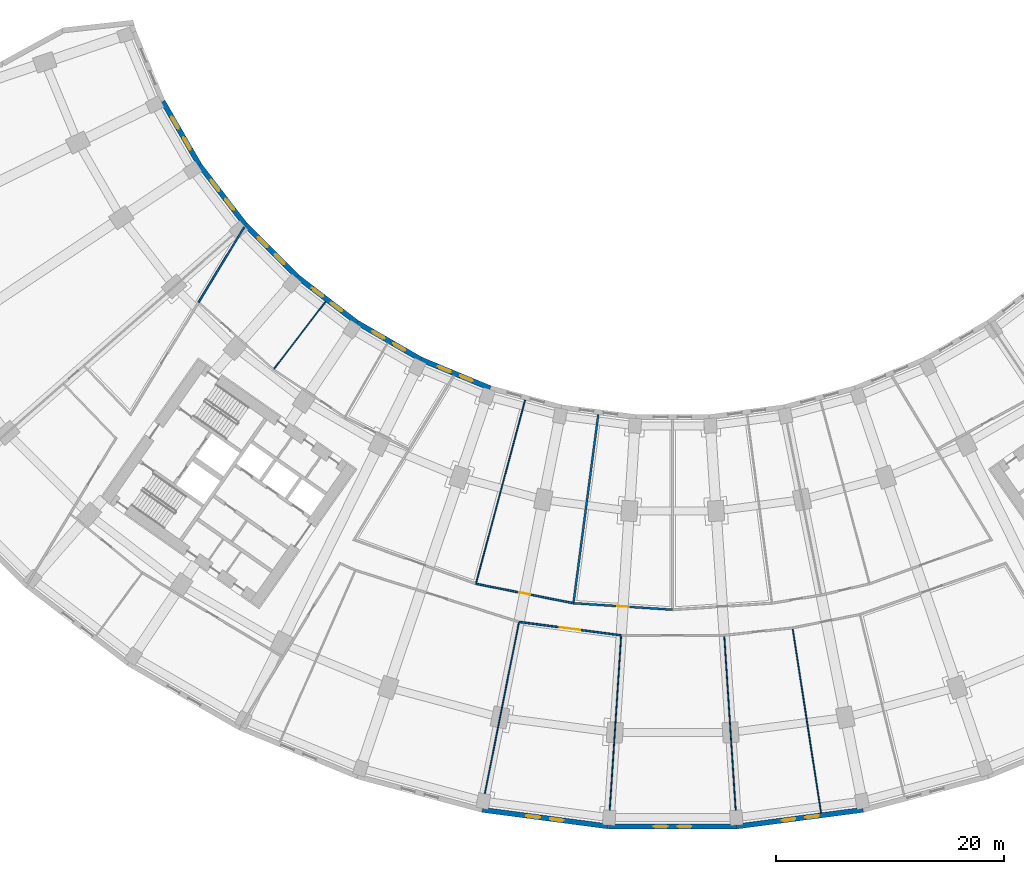
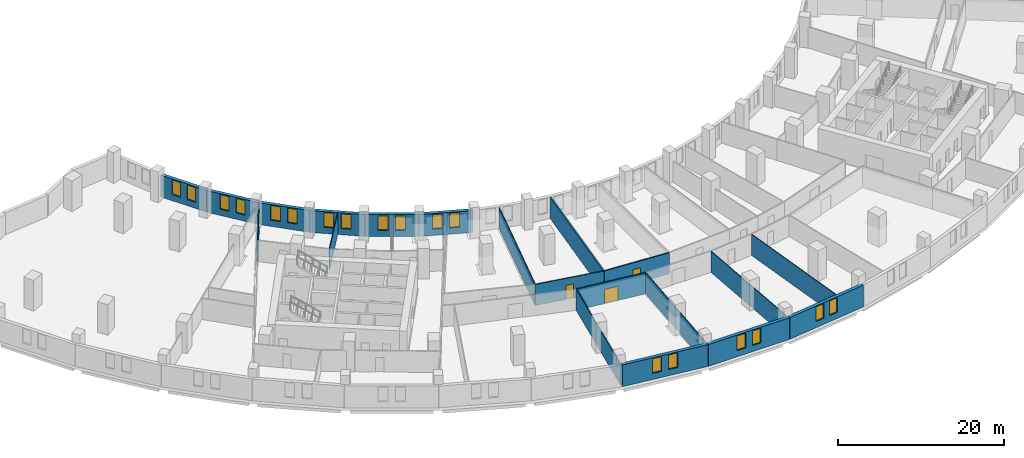
# One storey, part 8 of 20: 20 walls, 18 windows, 3 doors, 21 openings.
"""IFC4 building model written with IfcOpenShell, lengths in metres."""

from ifc_helpers import new_model, si_unit, direction, frame, frame_2d, origin, place, context, subcontext, project, spatial, rectangle, extrude, material, layer, layer_set, type_object, element, fill, save


model = new_model("IFC4")

# Units and contexts
model_context = context("Model", 3, precision=1e-05, world=origin(), true_north=direction((0.0, 1.0)))
body_context = subcontext(model_context, "Body", "Model", "MODEL_VIEW")
ifc_project = project(units=[si_unit("LENGTHUNIT", "METRE"), si_unit("AREAUNIT", "SQUARE_METRE"), si_unit("VOLUMEUNIT", "CUBIC_METRE"), si_unit("PLANEANGLEUNIT", "RADIAN"), si_unit("MASSUNIT", "GRAM", prefix="KILO")], contexts=[model_context])

# Site, building, storey
site_placement = place(None, origin())
site = spatial("IfcSite", under=ifc_project, at=site_placement, CompositionType="ELEMENT")
building_placement = place(site_placement, origin())
building = spatial("IfcBuilding", under=site, at=building_placement, Name="Qamariyya Broadcast Tower", CompositionType="ELEMENT")
storey_placement = place(building_placement, frame((0.0, 0.0, 27.0)))
storey = spatial("IfcBuildingStorey", under=building, at=storey_placement, Name="L03", CompositionType="ELEMENT", Elevation=27.0)

# Wall
ifc_material_1 = material(Name="Gypsum board partition")
ifc_layer_1 = layer(ifc_material_1, 0.14990234375)
ifc_layer_set_1 = layer_set([ifc_layer_1], Name="Corridor partition 150 EI 60")
wall_type_1 = type_object("IfcWallType", Name="Corridor partition 150 EI 60", PredefinedType="PARTITIONING", material=ifc_layer_set_1)
wall_1_placement = place(storey_placement, frame((-37.6376953125, -33.18701171875, 0.0), z_axis=(0.0, 0.0, 1.0), x_axis=(-0.519163683086, -0.854674833, 0.0)))
element("IfcWall", 1, at=wall_1_placement, inside=storey, type_object=wall_type_1, Name="Partition L03-013", PredefinedType="PARTITIONING", context=body_context, shape_type="SweptSolid", body=[
    extrude(rectangle(XDim=7.724853515625, YDim=0.14990234375, at=frame_2d((3.8623046875, 0.0))), origin(), (0.0, 0.0, 1.0), 3.10009765625),
])

# Wall, opening, door
wall_2_placement = place(storey_placement, frame((-17.2890625, -64.52392578125, 0.0), z_axis=(0.0, 0.0, 1.0), x_axis=(0.980786466832, -0.195084357342, 0.0)))
wall_2 = element("IfcWall", 2, at=wall_2_placement, inside=storey, type_object=wall_type_1, Name="Partition L03-026", PredefinedType="PARTITIONING", context=body_context, shape_type="SweptSolid", body=[
    extrude(rectangle(XDim=8.73779296875, YDim=0.14990234375, at=frame_2d((4.368896484375, 0.0))), origin(), (0.0, 0.0, 1.0), 3.10009765625),
])
opening_1_placement = place(wall_2_placement, frame((3.868896484375, 0.0, 0.0)))
opening_1 = element("IfcOpeningElement", 3, at=opening_1_placement, cuts=wall_2, Name="Opening L03-D09", PredefinedType="OPENING", context=body_context, shape_type="SweptSolid", body=[
    extrude(rectangle(XDim=1.0, YDim=2.10009765625, at=frame_2d((0.5, 1.050048828125))), frame((0.0, 0.0849609375, 0.0), z_axis=(0.0, -1.0, 0.0), x_axis=(1.0, 0.0, 0.0)), (0.0, 0.0, 1.0), 0.169921875),
])
ifc_material_2 = material(Name="Timber fire door leaf", Category="wood")
door_type_1 = type_object("IfcDoorType", Name="Fire door 1000 x 2100 FD60", OperationType="NOTDEFINED", PredefinedType="DOOR", material=ifc_material_2)
door_1_placement = place(opening_1_placement, origin())
door_1 = element("IfcDoor", 4, at=door_1_placement, inside=storey, type_object=door_type_1, Name="Door L03-D09", OperationType="SINGLE_SWING_RIGHT", OverallHeight=2.10009765625, OverallWidth=1.0, PredefinedType="DOOR", context=body_context, shape_type="SweptSolid", body=[
    extrude(rectangle(XDim=1.0, YDim=2.10009765625, at=frame_2d((0.5, 1.050048828125))), frame((0.0, 0.02490234375, 0.0), z_axis=(0.0, -1.0, 0.0), x_axis=(1.0, 0.0, 0.0)), (0.0, 0.0, 1.0), 0.050048828125),
])
fill(opening_1, door_1)

wall_3_placement = place(storey_placement, frame((-4.52587890625, -69.0517578125, 0.0), z_axis=(0.0, 0.0, 1.0), x_axis=(-0.991446306881, 0.13051521203, 0.0)))
wall_3 = element("IfcWall", 5, at=wall_3_placement, inside=storey, type_object=wall_type_1, Name="Partition L03-028", PredefinedType="PARTITIONING", context=body_context, shape_type="SweptSolid", body=[
    extrude(rectangle(XDim=9.0517578125, YDim=0.14990234375, at=frame_2d((4.52587890625, 0.0))), origin(), (0.0, 0.0, 1.0), 3.10009765625),
])
opening_2_placement = place(wall_3_placement, frame((3.6259765625, 0.0, 0.0)))
opening_2 = element("IfcOpeningElement", 6, at=opening_2_placement, cuts=wall_3, Name="Opening L03-D03", PredefinedType="OPENING", context=body_context, shape_type="SweptSolid", body=[
    extrude(rectangle(XDim=1.800048828125, YDim=2.10009765625, at=frame_2d((0.89990234375, 1.050048828125))), frame((0.0, 0.0849609375, 0.0), z_axis=(0.0, -1.0, 0.0), x_axis=(1.0, 0.0, 0.0)), (0.0, 0.0, 1.0), 0.169921875),
])
door_type_2 = type_object("IfcDoorType", Name="Double fire door 1800 x 2100 FD60", OperationType="NOTDEFINED", PredefinedType="DOOR", material=ifc_material_2)
door_2_placement = place(opening_2_placement, origin())
door_2 = element("IfcDoor", 7, at=door_2_placement, inside=storey, type_object=door_type_2, Name="Door L03-D03", OperationType="DOUBLE_DOOR_SINGLE_SWING", OverallHeight=2.10009765625, OverallWidth=1.800048828125, PredefinedType="DOOR", context=body_context, shape_type="SweptSolid", body=[
    extrude(rectangle(XDim=1.800048828125, YDim=2.10009765625, at=frame_2d((0.89990234375, 1.050048828125))), frame((0.0, 0.02490234375, 0.0), z_axis=(0.0, -1.0, 0.0), x_axis=(1.0, 0.0, 0.0)), (0.0, 0.0, 1.0), 0.050048828125),
])
fill(opening_2, door_2)

# Walls
ifc_layer_2 = layer(ifc_material_1, 0.10009765625)
ifc_layer_set_2 = layer_set([ifc_layer_2], Name="Partition 100")
wall_type_2 = type_object("IfcWallType", Name="Partition 100", PredefinedType="PARTITIONING", material=ifc_layer_set_2)
wall_4_placement = place(storey_placement, frame((-30.494873046875, -39.741943359375, 0.0), z_axis=(0.0, 0.0, 1.0), x_axis=(-0.60877839598, -0.793340320788, 0.0)))
element("IfcWall", 8, at=wall_4_placement, inside=storey, type_object=wall_type_2, Name="Partition L03-017", PredefinedType="PARTITIONING", context=body_context, shape_type="SweptSolid", body=[
    extrude(rectangle(XDim=7.431640625, YDim=0.10009765625, at=frame_2d((3.7158203125, 0.0))), origin(), (0.0, 0.0, 1.0), 3.10009765625),
])
wall_5_placement = place(storey_placement, frame((-16.73876953125, -84.1513671875, 0.0), z_axis=(0.0, 0.0, 1.0), x_axis=(0.195090372882, 0.980785270285, 0.0)))
element("IfcWall", 9, at=wall_5_placement, inside=storey, type_object=wall_type_2, Name="Partition L03-027", PredefinedType="PARTITIONING", context=body_context, shape_type="SweptSolid", body=[
    extrude(rectangle(XDim=16.525146484375, YDim=0.10009765625, at=frame_2d((8.2626953125, 0.0))), origin(), (0.0, 0.0, 1.0), 3.10009765625),
])
wall_6_placement = place(storey_placement, frame((-12.965087890625, -48.386474609375, 0.0), z_axis=(0.0, 0.0, 1.0), x_axis=(-0.258824622624, -0.965924331779, 0.0)))
element("IfcWall", 10, at=wall_6_placement, inside=storey, type_object=wall_type_2, Name="Partition L03-029", PredefinedType="PARTITIONING", context=body_context, shape_type="SweptSolid", body=[
    extrude(rectangle(XDim=16.631591796875, YDim=0.10009765625, at=frame_2d((8.31591796875, 0.0))), origin(), (0.0, 0.0, 1.0), 3.10009765625),
])
for number, where, z_axis, x_axis, name in (
    (11, (-5.611572265625, -85.6162109375, 0.0), (0.0, 0.0, 1.0), (0.065405026615, 0.997858798876, 0.0), "Partition L03-032"),
    (12, (5.611572265625, -85.6162109375, 0.0), (0.0, 0.0, 1.0), (-0.065405026615, 0.997858798876, 0.0), "Partition L03-037"),
):
    element("IfcWall", number, at=place(storey_placement, frame(where, z_axis=z_axis, x_axis=x_axis)), inside=storey, type_object=wall_type_2, Name=name, PredefinedType="PARTITIONING", context=body_context, shape_type="SweptSolid", body=[
        extrude(rectangle(XDim=16.52490234375, YDim=0.10009765625, at=frame_2d((8.262451171875, 0.0))), origin(), (0.0, 0.0, 1.0), 3.10009765625),
    ])
wall_7_placement = place(storey_placement, frame((13.029541015625, -84.638916015625, 0.0), z_axis=(0.0, 0.0, 1.0), x_axis=(-0.15214688942, 0.988357892689, 0.0)))
element("IfcWall", 13, at=wall_7_placement, inside=storey, type_object=wall_type_2, Name="Partition L03-044", PredefinedType="PARTITIONING", context=body_context, shape_type="SweptSolid", body=[
    extrude(rectangle(XDim=16.36083984375, YDim=0.10009765625, at=frame_2d((8.180419921875, 0.0))), origin(), (0.0, 0.0, 1.0), 3.10009765625),
])

# Wall, openings, windows
ifc_material_3 = material(Name="Precast concrete C40/50 with terracotta facing", Category="masonry")
ifc_layer_3 = layer(ifc_material_3, 0.449951171875)
ifc_layer_set_3 = layer_set([ifc_layer_3], Name="Precast concrete C40/50 wall 450, terracotta faced")
wall_type_3 = type_object("IfcWallType", Name="Precast concrete C40/50 wall 450, terracotta faced", PredefinedType="SOLIDWALL", material=ifc_layer_set_3)
wall_8_placement = place(storey_placement, frame((-41.58251953125, -27.7138671875, 0.0), z_axis=(0.0, 0.0, 1.0), x_axis=(-0.50000447882, 0.866022817921, 0.0)))
wall_8 = element("IfcWall", 14, at=wall_8_placement, inside=storey, type_object=wall_type_3, Name="e-wl-L03-in20", PredefinedType="SOLIDWALL", context=body_context, shape_type="SweptSolid", body=[
    extrude(rectangle(XDim=6.41943359375, YDim=0.449951171875, at=frame_2d((3.209716796875, 0.0))), origin(), (0.0, 0.0, 1.0), 3.199951171875),
])
opening_3_placement = place(wall_8_placement, frame((3.65966796875, 0.0, 0.89990234375)))
opening_3 = element("IfcOpeningElement", 15, at=opening_3_placement, cuts=wall_8, Name="Opening W3", PredefinedType="OPENING", context=body_context, shape_type="SweptSolid", body=[
    extrude(rectangle(XDim=1.199951171875, YDim=2.14990234375, at=frame_2d((0.60009765625, 1.074951171875))), frame((0.0, 0.23486328125, 0.0), z_axis=(0.0, -1.0, 0.0), x_axis=(1.0, 0.0, 0.0)), (0.0, 0.0, 1.0), 0.469970703125),
])
opening_4_placement = place(wall_8_placement, frame((1.5595703125, 0.0, 0.89990234375)))
opening_4 = element("IfcOpeningElement", 16, at=opening_4_placement, cuts=wall_8, Name="Opening W3", PredefinedType="OPENING", context=body_context, shape_type="SweptSolid", body=[
    extrude(rectangle(XDim=1.199951171875, YDim=2.14990234375, at=frame_2d((0.60009765625, 1.074951171875))), frame((0.0, 0.23486328125, 0.0), z_axis=(0.0, -1.0, 0.0), x_axis=(1.0, 0.0, 0.0)), (0.0, 0.0, 1.0), 0.469970703125),
])
ifc_material_4 = material(Name="Clear low-e double glazed unit in aluminium frame", Category="aluminium")
window_type = type_object("IfcWindowType", Name="Podium window 1200 x 2150", PartitioningType="SINGLE_PANEL", PredefinedType="WINDOW", material=ifc_material_4)
window_1_placement = place(opening_3_placement, origin())
window_1 = element("IfcWindow", 17, at=window_1_placement, inside=storey, type_object=window_type, Name="e-w-L03-in02a", OverallHeight=2.14990234375, OverallWidth=1.199951171875, PartitioningType="SINGLE_PANEL", PredefinedType="WINDOW", context=body_context, shape_type="SweptSolid", body=[
    extrude(rectangle(XDim=1.199951171875, YDim=2.14990234375, at=frame_2d((0.60009765625, 1.074951171875))), frame((0.0, 0.030029296875, 0.0), z_axis=(0.0, -1.0, 0.0), x_axis=(1.0, 0.0, 0.0)), (0.0, 0.0, 1.0), 0.06005859375),
])
fill(opening_3, window_1)
window_2_placement = place(opening_4_placement, origin())
window_2 = element("IfcWindow", 18, at=window_2_placement, inside=storey, type_object=window_type, Name="e-w-L03-in02b", OverallHeight=2.14990234375, OverallWidth=1.199951171875, PartitioningType="SINGLE_PANEL", PredefinedType="WINDOW", context=body_context, shape_type="SweptSolid", body=[
    extrude(rectangle(XDim=1.199951171875, YDim=2.14990234375, at=frame_2d((0.60009765625, 1.074951171875))), frame((0.0, 0.030029296875, 0.0), z_axis=(0.0, -1.0, 0.0), x_axis=(1.0, 0.0, 0.0)), (0.0, 0.0, 1.0), 0.06005859375),
])
fill(opening_4, window_2)

wall_9_placement = place(storey_placement, frame((-37.55517578125, -32.974853515625, 0.0), z_axis=(0.0, 0.0, 1.0), x_axis=(-0.608780327927, 0.793338838284, 0.0)))
wall_9 = element("IfcWall", 19, at=wall_9_placement, inside=storey, type_object=wall_type_3, Name="e-wl-L03-in30", PredefinedType="SOLIDWALL", context=body_context, shape_type="SweptSolid", body=[
    extrude(rectangle(XDim=6.596923828125, YDim=0.449951171875, at=frame_2d((3.29833984375, 0.0))), origin(), (0.0, 0.0, 1.0), 3.199951171875),
])
opening_5_placement = place(wall_9_placement, frame((3.74853515625, 0.0, 0.89990234375)))
opening_5 = element("IfcOpeningElement", 20, at=opening_5_placement, cuts=wall_9, Name="Opening W3", PredefinedType="OPENING", context=body_context, shape_type="SweptSolid", body=[
    extrude(rectangle(XDim=1.199951171875, YDim=2.14990234375, at=frame_2d((0.60009765625, 1.074951171875))), frame((0.0, 0.23486328125, 0.0), z_axis=(0.0, -1.0, 0.0), x_axis=(1.0, 0.0, 0.0)), (0.0, 0.0, 1.0), 0.469970703125),
])
opening_6_placement = place(wall_9_placement, frame((1.6484375, 0.0, 0.89990234375)))
opening_6 = element("IfcOpeningElement", 21, at=opening_6_placement, cuts=wall_9, Name="Opening W3", PredefinedType="OPENING", context=body_context, shape_type="SweptSolid", body=[
    extrude(rectangle(XDim=1.199951171875, YDim=2.14990234375, at=frame_2d((0.60009765625, 1.074951171875))), frame((0.0, 0.23486328125, 0.0), z_axis=(0.0, -1.0, 0.0), x_axis=(1.0, 0.0, 0.0)), (0.0, 0.0, 1.0), 0.469970703125),
])
window_3_placement = place(opening_5_placement, origin())
window_3 = element("IfcWindow", 22, at=window_3_placement, inside=storey, type_object=window_type, Name="e-w-L03-in03a", OverallHeight=2.14990234375, OverallWidth=1.199951171875, PartitioningType="SINGLE_PANEL", PredefinedType="WINDOW", context=body_context, shape_type="SweptSolid", body=[
    extrude(rectangle(XDim=1.199951171875, YDim=2.14990234375, at=frame_2d((0.60009765625, 1.074951171875))), frame((0.0, 0.030029296875, 0.0), z_axis=(0.0, -1.0, 0.0), x_axis=(1.0, 0.0, 0.0)), (0.0, 0.0, 1.0), 0.06005859375),
])
fill(opening_5, window_3)
window_4_placement = place(opening_6_placement, origin())
window_4 = element("IfcWindow", 23, at=window_4_placement, inside=storey, type_object=window_type, Name="e-w-L03-in03b", OverallHeight=2.14990234375, OverallWidth=1.199951171875, PartitioningType="SINGLE_PANEL", PredefinedType="WINDOW", context=body_context, shape_type="SweptSolid", body=[
    extrude(rectangle(XDim=1.199951171875, YDim=2.14990234375, at=frame_2d((0.60009765625, 1.074951171875))), frame((0.0, 0.030029296875, 0.0), z_axis=(0.0, -1.0, 0.0), x_axis=(1.0, 0.0, 0.0)), (0.0, 0.0, 1.0), 0.06005859375),
])
fill(opening_6, window_4)

wall_10_placement = place(storey_placement, frame((-32.992919921875, -37.531982421875, 0.0), z_axis=(0.0, 0.0, 1.0), x_axis=(-0.707106781187, 0.707106781187, 0.0)))
wall_10 = element("IfcWall", 24, at=wall_10_placement, inside=storey, type_object=wall_type_3, Name="e-wl-L03-in40", PredefinedType="SOLIDWALL", context=body_context, shape_type="SweptSolid", body=[
    extrude(rectangle(XDim=6.419189453125, YDim=0.449951171875, at=frame_2d((3.20947265625, 0.0))), origin(), (0.0, 0.0, 1.0), 3.199951171875),
])
opening_7_placement = place(wall_10_placement, frame((3.65966796875, 0.0, 0.89990234375)))
opening_7 = element("IfcOpeningElement", 25, at=opening_7_placement, cuts=wall_10, Name="Opening W3", PredefinedType="OPENING", context=body_context, shape_type="SweptSolid", body=[
    extrude(rectangle(XDim=1.199951171875, YDim=2.14990234375, at=frame_2d((0.60009765625, 1.074951171875))), frame((0.0, 0.23486328125, 0.0), z_axis=(0.0, -1.0, 0.0), x_axis=(1.0, 0.0, 0.0)), (0.0, 0.0, 1.0), 0.469970703125),
])
opening_8_placement = place(wall_10_placement, frame((1.5595703125, 0.0, 0.89990234375)))
opening_8 = element("IfcOpeningElement", 26, at=opening_8_placement, cuts=wall_10, Name="Opening W3", PredefinedType="OPENING", context=body_context, shape_type="SweptSolid", body=[
    extrude(rectangle(XDim=1.199951171875, YDim=2.14990234375, at=frame_2d((0.60009765625, 1.074951171875))), frame((0.0, 0.23486328125, 0.0), z_axis=(0.0, -1.0, 0.0), x_axis=(1.0, 0.0, 0.0)), (0.0, 0.0, 1.0), 0.469970703125),
])
window_5_placement = place(opening_7_placement, origin())
window_5 = element("IfcWindow", 27, at=window_5_placement, inside=storey, type_object=window_type, Name="e-w-L03-in04a", OverallHeight=2.14990234375, OverallWidth=1.199951171875, PartitioningType="SINGLE_PANEL", PredefinedType="WINDOW", context=body_context, shape_type="SweptSolid", body=[
    extrude(rectangle(XDim=1.199951171875, YDim=2.14990234375, at=frame_2d((0.60009765625, 1.074951171875))), frame((0.0, 0.030029296875, 0.0), z_axis=(0.0, -1.0, 0.0), x_axis=(1.0, 0.0, 0.0)), (0.0, 0.0, 1.0), 0.06005859375),
])
fill(opening_7, window_5)
window_6_placement = place(opening_8_placement, origin())
window_6 = element("IfcWindow", 28, at=window_6_placement, inside=storey, type_object=window_type, Name="e-w-L03-in04b", OverallHeight=2.14990234375, OverallWidth=1.199951171875, PartitioningType="SINGLE_PANEL", PredefinedType="WINDOW", context=body_context, shape_type="SweptSolid", body=[
    extrude(rectangle(XDim=1.199951171875, YDim=2.14990234375, at=frame_2d((0.60009765625, 1.074951171875))), frame((0.0, 0.030029296875, 0.0), z_axis=(0.0, -1.0, 0.0), x_axis=(1.0, 0.0, 0.0)), (0.0, 0.0, 1.0), 0.06005859375),
])
fill(opening_8, window_6)

wall_11_placement = place(storey_placement, frame((-27.7412109375, -41.5712890625, 0.0), z_axis=(0.0, 0.0, 1.0), x_axis=(-0.793338838284, 0.608780327927, 0.0)))
wall_11 = element("IfcWall", 29, at=wall_11_placement, inside=storey, type_object=wall_type_3, Name="e-wl-L03-in50", PredefinedType="SOLIDWALL", context=body_context, shape_type="SweptSolid", body=[
    extrude(rectangle(XDim=6.596923828125, YDim=0.449951171875, at=frame_2d((3.29833984375, 0.0))), origin(), (0.0, 0.0, 1.0), 3.199951171875),
])
opening_9_placement = place(wall_11_placement, frame((3.74853515625, 0.0, 0.89990234375)))
opening_9 = element("IfcOpeningElement", 30, at=opening_9_placement, cuts=wall_11, Name="Opening W3", PredefinedType="OPENING", context=body_context, shape_type="SweptSolid", body=[
    extrude(rectangle(XDim=1.199951171875, YDim=2.14990234375, at=frame_2d((0.60009765625, 1.074951171875))), frame((0.0, 0.23486328125, 0.0), z_axis=(0.0, -1.0, 0.0), x_axis=(1.0, 0.0, 0.0)), (0.0, 0.0, 1.0), 0.469970703125),
])
opening_10_placement = place(wall_11_placement, frame((1.6484375, 0.0, 0.89990234375)))
opening_10 = element("IfcOpeningElement", 31, at=opening_10_placement, cuts=wall_11, Name="Opening W3", PredefinedType="OPENING", context=body_context, shape_type="SweptSolid", body=[
    extrude(rectangle(XDim=1.199951171875, YDim=2.14990234375, at=frame_2d((0.60009765625, 1.074951171875))), frame((0.0, 0.23486328125, 0.0), z_axis=(0.0, -1.0, 0.0), x_axis=(1.0, 0.0, 0.0)), (0.0, 0.0, 1.0), 0.469970703125),
])
window_7_placement = place(opening_9_placement, origin())
window_7 = element("IfcWindow", 32, at=window_7_placement, inside=storey, type_object=window_type, Name="e-w-L03-in05a", OverallHeight=2.14990234375, OverallWidth=1.199951171875, PartitioningType="SINGLE_PANEL", PredefinedType="WINDOW", context=body_context, shape_type="SweptSolid", body=[
    extrude(rectangle(XDim=1.199951171875, YDim=2.14990234375, at=frame_2d((0.60009765625, 1.074951171875))), frame((0.0, 0.030029296875, 0.0), z_axis=(0.0, -1.0, 0.0), x_axis=(1.0, 0.0, 0.0)), (0.0, 0.0, 1.0), 0.06005859375),
])
fill(opening_9, window_7)
window_8_placement = place(opening_10_placement, origin())
window_8 = element("IfcWindow", 33, at=window_8_placement, inside=storey, type_object=window_type, Name="e-w-L03-in05b", OverallHeight=2.14990234375, OverallWidth=1.199951171875, PartitioningType="SINGLE_PANEL", PredefinedType="WINDOW", context=body_context, shape_type="SweptSolid", body=[
    extrude(rectangle(XDim=1.199951171875, YDim=2.14990234375, at=frame_2d((0.60009765625, 1.074951171875))), frame((0.0, 0.030029296875, 0.0), z_axis=(0.0, -1.0, 0.0), x_axis=(1.0, 0.0, 0.0)), (0.0, 0.0, 1.0), 0.06005859375),
])
fill(opening_10, window_8)

wall_12_placement = place(storey_placement, frame((-22.154541015625, -44.792236328125, 0.0), z_axis=(0.0, 0.0, 1.0), x_axis=(-0.866022817921, 0.50000447882, 0.0)))
wall_12 = element("IfcWall", 34, at=wall_12_placement, inside=storey, type_object=wall_type_3, Name="e-wl-L03-in60", PredefinedType="SOLIDWALL", context=body_context, shape_type="SweptSolid", body=[
    extrude(rectangle(XDim=6.41943359375, YDim=0.449951171875, at=frame_2d((3.209716796875, 0.0))), origin(), (0.0, 0.0, 1.0), 3.199951171875),
])
opening_11_placement = place(wall_12_placement, frame((3.65966796875, 0.0, 0.89990234375)))
opening_11 = element("IfcOpeningElement", 35, at=opening_11_placement, cuts=wall_12, Name="Opening W3", PredefinedType="OPENING", context=body_context, shape_type="SweptSolid", body=[
    extrude(rectangle(XDim=1.199951171875, YDim=2.14990234375, at=frame_2d((0.60009765625, 1.074951171875))), frame((0.0, 0.23486328125, 0.0), z_axis=(0.0, -1.0, 0.0), x_axis=(1.0, 0.0, 0.0)), (0.0, 0.0, 1.0), 0.469970703125),
])
opening_12_placement = place(wall_12_placement, frame((1.5595703125, 0.0, 0.89990234375)))
opening_12 = element("IfcOpeningElement", 36, at=opening_12_placement, cuts=wall_12, Name="Opening W3", PredefinedType="OPENING", context=body_context, shape_type="SweptSolid", body=[
    extrude(rectangle(XDim=1.199951171875, YDim=2.14990234375, at=frame_2d((0.60009765625, 1.074951171875))), frame((0.0, 0.23486328125, 0.0), z_axis=(0.0, -1.0, 0.0), x_axis=(1.0, 0.0, 0.0)), (0.0, 0.0, 1.0), 0.469970703125),
])
window_9_placement = place(opening_11_placement, origin())
window_9 = element("IfcWindow", 37, at=window_9_placement, inside=storey, type_object=window_type, Name="e-w-L03-in06a", OverallHeight=2.14990234375, OverallWidth=1.199951171875, PartitioningType="SINGLE_PANEL", PredefinedType="WINDOW", context=body_context, shape_type="SweptSolid", body=[
    extrude(rectangle(XDim=1.199951171875, YDim=2.14990234375, at=frame_2d((0.60009765625, 1.074951171875))), frame((0.0, 0.030029296875, 0.0), z_axis=(0.0, -1.0, 0.0), x_axis=(1.0, 0.0, 0.0)), (0.0, 0.0, 1.0), 0.06005859375),
])
fill(opening_11, window_9)
window_10_placement = place(opening_12_placement, origin())
window_10 = element("IfcWindow", 38, at=window_10_placement, inside=storey, type_object=window_type, Name="e-w-L03-in06b", OverallHeight=2.14990234375, OverallWidth=1.199951171875, PartitioningType="SINGLE_PANEL", PredefinedType="WINDOW", context=body_context, shape_type="SweptSolid", body=[
    extrude(rectangle(XDim=1.199951171875, YDim=2.14990234375, at=frame_2d((0.60009765625, 1.074951171875))), frame((0.0, 0.030029296875, 0.0), z_axis=(0.0, -1.0, 0.0), x_axis=(1.0, 0.0, 0.0)), (0.0, 0.0, 1.0), 0.06005859375),
])
fill(opening_12, window_10)

wall_13_placement = place(storey_placement, frame((-16.036376953125, -47.334716796875, 0.0), z_axis=(0.0, 0.0, 1.0), x_axis=(-0.923877459804, 0.382688436284, 0.0)))
wall_13 = element("IfcWall", 39, at=wall_13_placement, inside=storey, type_object=wall_type_3, Name="e-wl-L03-in70", PredefinedType="SOLIDWALL", context=body_context, shape_type="SweptSolid", body=[
    extrude(rectangle(XDim=6.59716796875, YDim=0.449951171875, at=frame_2d((3.298583984375, 0.0))), origin(), (0.0, 0.0, 1.0), 3.199951171875),
])
opening_13_placement = place(wall_13_placement, frame((3.74853515625, 0.0, 0.89990234375)))
opening_13 = element("IfcOpeningElement", 40, at=opening_13_placement, cuts=wall_13, Name="Opening W3", PredefinedType="OPENING", context=body_context, shape_type="SweptSolid", body=[
    extrude(rectangle(XDim=1.199951171875, YDim=2.14990234375, at=frame_2d((0.60009765625, 1.074951171875))), frame((0.0, 0.23486328125, 0.0), z_axis=(0.0, -1.0, 0.0), x_axis=(1.0, 0.0, 0.0)), (0.0, 0.0, 1.0), 0.469970703125),
])
opening_14_placement = place(wall_13_placement, frame((1.6484375, 0.0, 0.89990234375)))
opening_14 = element("IfcOpeningElement", 41, at=opening_14_placement, cuts=wall_13, Name="Opening W3", PredefinedType="OPENING", context=body_context, shape_type="SweptSolid", body=[
    extrude(rectangle(XDim=1.199951171875, YDim=2.14990234375, at=frame_2d((0.60009765625, 1.074951171875))), frame((0.0, 0.23486328125, 0.0), z_axis=(0.0, -1.0, 0.0), x_axis=(1.0, 0.0, 0.0)), (0.0, 0.0, 1.0), 0.469970703125),
])
window_11_placement = place(opening_13_placement, origin())
window_11 = element("IfcWindow", 42, at=window_11_placement, inside=storey, type_object=window_type, Name="e-w-L03-in07a", OverallHeight=2.14990234375, OverallWidth=1.199951171875, PartitioningType="SINGLE_PANEL", PredefinedType="WINDOW", context=body_context, shape_type="SweptSolid", body=[
    extrude(rectangle(XDim=1.199951171875, YDim=2.14990234375, at=frame_2d((0.60009765625, 1.074951171875))), frame((0.0, 0.030029296875, 0.0), z_axis=(0.0, -1.0, 0.0), x_axis=(1.0, 0.0, 0.0)), (0.0, 0.0, 1.0), 0.06005859375),
])
fill(opening_13, window_11)
window_12_placement = place(opening_14_placement, origin())
window_12 = element("IfcWindow", 43, at=window_12_placement, inside=storey, type_object=window_type, Name="e-w-L03-in07b", OverallHeight=2.14990234375, OverallWidth=1.199951171875, PartitioningType="SINGLE_PANEL", PredefinedType="WINDOW", context=body_context, shape_type="SweptSolid", body=[
    extrude(rectangle(XDim=1.199951171875, YDim=2.14990234375, at=frame_2d((0.60009765625, 1.074951171875))), frame((0.0, 0.030029296875, 0.0), z_axis=(0.0, -1.0, 0.0), x_axis=(1.0, 0.0, 0.0)), (0.0, 0.0, 1.0), 0.06005859375),
])
fill(opening_14, window_12)

wall_14_placement = place(storey_placement, frame((-5.65625, -85.84033203125, 0.0), z_axis=(0.0, 0.0, 1.0), x_axis=(1.0, 0.0, 0.0)))
wall_14 = element("IfcWall", 44, at=wall_14_placement, inside=storey, type_object=wall_type_3, Name="e-wl-L03-out100", PredefinedType="SOLIDWALL", context=body_context, shape_type="SweptSolid", body=[
    extrude(rectangle(XDim=11.3125, YDim=0.449951171875, at=frame_2d((5.65625, 0.0))), origin(), (0.0, 0.0, 1.0), 3.199951171875),
])
opening_15_placement = place(wall_14_placement, frame((4.00634765625, 0.0, 0.89990234375)))
opening_15 = element("IfcOpeningElement", 45, at=opening_15_placement, cuts=wall_14, Name="Opening W3", PredefinedType="OPENING", context=body_context, shape_type="SweptSolid", body=[
    extrude(rectangle(XDim=1.199951171875, YDim=2.14990234375, at=frame_2d((0.60009765625, 1.074951171875))), frame((0.0, 0.23486328125, 0.0), z_axis=(0.0, -1.0, 0.0), x_axis=(1.0, 0.0, 0.0)), (0.0, 0.0, 1.0), 0.469970703125),
])
opening_16_placement = place(wall_14_placement, frame((6.106201171875, 0.0, 0.89990234375)))
opening_16 = element("IfcOpeningElement", 46, at=opening_16_placement, cuts=wall_14, Name="Opening W3", PredefinedType="OPENING", context=body_context, shape_type="SweptSolid", body=[
    extrude(rectangle(XDim=1.199951171875, YDim=2.14990234375, at=frame_2d((0.60009765625, 1.074951171875))), frame((0.0, 0.23486328125, 0.0), z_axis=(0.0, -1.0, 0.0), x_axis=(1.0, 0.0, 0.0)), (0.0, 0.0, 1.0), 0.469970703125),
])
window_13_placement = place(opening_15_placement, origin())
window_13 = element("IfcWindow", 47, at=window_13_placement, inside=storey, type_object=window_type, Name="e-w-L03-out10a", OverallHeight=2.14990234375, OverallWidth=1.199951171875, PartitioningType="SINGLE_PANEL", PredefinedType="WINDOW", context=body_context, shape_type="SweptSolid", body=[
    extrude(rectangle(XDim=1.199951171875, YDim=2.14990234375, at=frame_2d((0.60009765625, 1.074951171875))), frame((0.0, 0.030029296875, 0.0), z_axis=(0.0, -1.0, 0.0), x_axis=(1.0, 0.0, 0.0)), (0.0, 0.0, 1.0), 0.06005859375),
])
fill(opening_15, window_13)
window_14_placement = place(opening_16_placement, origin())
window_14 = element("IfcWindow", 48, at=window_14_placement, inside=storey, type_object=window_type, Name="e-w-L03-out10b", OverallHeight=2.14990234375, OverallWidth=1.199951171875, PartitioningType="SINGLE_PANEL", PredefinedType="WINDOW", context=body_context, shape_type="SweptSolid", body=[
    extrude(rectangle(XDim=1.199951171875, YDim=2.14990234375, at=frame_2d((0.60009765625, 1.074951171875))), frame((0.0, 0.030029296875, 0.0), z_axis=(0.0, -1.0, 0.0), x_axis=(1.0, 0.0, 0.0)), (0.0, 0.0, 1.0), 0.06005859375),
])
fill(opening_16, window_14)

wall_15_placement = place(storey_placement, frame((5.684814453125, -85.83251953125, 0.0), z_axis=(0.0, 0.0, 1.0), x_axis=(0.991447502826, 0.130506126829, 0.0)))
wall_15 = element("IfcWall", 49, at=wall_15_placement, inside=storey, type_object=wall_type_3, Name="e-wl-L03-out110", PredefinedType="SOLIDWALL", context=body_context, shape_type="SweptSolid", body=[
    extrude(rectangle(XDim=11.134521484375, YDim=0.449951171875, at=frame_2d((5.5673828125, 0.0))), origin(), (0.0, 0.0, 1.0), 3.199951171875),
])
opening_17_placement = place(wall_15_placement, frame((3.917236328125, 0.0, 0.89990234375)))
opening_17 = element("IfcOpeningElement", 50, at=opening_17_placement, cuts=wall_15, Name="Opening W3", PredefinedType="OPENING", context=body_context, shape_type="SweptSolid", body=[
    extrude(rectangle(XDim=1.199951171875, YDim=2.14990234375, at=frame_2d((0.60009765625, 1.074951171875))), frame((0.0, 0.23486328125, 0.0), z_axis=(0.0, -1.0, 0.0), x_axis=(1.0, 0.0, 0.0)), (0.0, 0.0, 1.0), 0.469970703125),
])
opening_18_placement = place(wall_15_placement, frame((6.017333984375, 0.0, 0.89990234375)))
opening_18 = element("IfcOpeningElement", 51, at=opening_18_placement, cuts=wall_15, Name="Opening W3", PredefinedType="OPENING", context=body_context, shape_type="SweptSolid", body=[
    extrude(rectangle(XDim=1.199951171875, YDim=2.14990234375, at=frame_2d((0.60009765625, 1.074951171875))), frame((0.0, 0.23486328125, 0.0), z_axis=(0.0, -1.0, 0.0), x_axis=(1.0, 0.0, 0.0)), (0.0, 0.0, 1.0), 0.469970703125),
])
window_15_placement = place(opening_17_placement, origin())
window_15 = element("IfcWindow", 52, at=window_15_placement, inside=storey, type_object=window_type, Name="e-w-L03-out11a", OverallHeight=2.14990234375, OverallWidth=1.199951171875, PartitioningType="SINGLE_PANEL", PredefinedType="WINDOW", context=body_context, shape_type="SweptSolid", body=[
    extrude(rectangle(XDim=1.199951171875, YDim=2.14990234375, at=frame_2d((0.60009765625, 1.074951171875))), frame((0.0, 0.030029296875, 0.0), z_axis=(0.0, -1.0, 0.0), x_axis=(1.0, 0.0, 0.0)), (0.0, 0.0, 1.0), 0.06005859375),
])
fill(opening_17, window_15)
window_16_placement = place(opening_18_placement, origin())
window_16 = element("IfcWindow", 53, at=window_16_placement, inside=storey, type_object=window_type, Name="e-w-L03-out11b", OverallHeight=2.14990234375, OverallWidth=1.199951171875, PartitioningType="SINGLE_PANEL", PredefinedType="WINDOW", context=body_context, shape_type="SweptSolid", body=[
    extrude(rectangle(XDim=1.199951171875, YDim=2.14990234375, at=frame_2d((0.60009765625, 1.074951171875))), frame((0.0, 0.030029296875, 0.0), z_axis=(0.0, -1.0, 0.0), x_axis=(1.0, 0.0, 0.0)), (0.0, 0.0, 1.0), 0.06005859375),
])
fill(opening_18, window_16)

wall_16_placement = place(storey_placement, frame((-16.72412109375, -84.37939453125, 0.0), z_axis=(0.0, 0.0, 1.0), x_axis=(0.991447502826, -0.130506126829, 0.0)))
wall_16 = element("IfcWall", 54, at=wall_16_placement, inside=storey, type_object=wall_type_3, Name="e-wl-L03-out90", PredefinedType="SOLIDWALL", context=body_context, shape_type="SweptSolid", body=[
    extrude(rectangle(XDim=11.134521484375, YDim=0.449951171875, at=frame_2d((5.5673828125, 0.0))), origin(), (0.0, 0.0, 1.0), 3.199951171875),
])
opening_19_placement = place(wall_16_placement, frame((3.917236328125, 0.0, 0.89990234375)))
opening_19 = element("IfcOpeningElement", 55, at=opening_19_placement, cuts=wall_16, Name="Opening W3", PredefinedType="OPENING", context=body_context, shape_type="SweptSolid", body=[
    extrude(rectangle(XDim=1.199951171875, YDim=2.14990234375, at=frame_2d((0.60009765625, 1.074951171875))), frame((0.0, 0.23486328125, 0.0), z_axis=(0.0, -1.0, 0.0), x_axis=(1.0, 0.0, 0.0)), (0.0, 0.0, 1.0), 0.469970703125),
])
opening_20_placement = place(wall_16_placement, frame((6.017333984375, 0.0, 0.89990234375)))
opening_20 = element("IfcOpeningElement", 56, at=opening_20_placement, cuts=wall_16, Name="Opening W3", PredefinedType="OPENING", context=body_context, shape_type="SweptSolid", body=[
    extrude(rectangle(XDim=1.199951171875, YDim=2.14990234375, at=frame_2d((0.60009765625, 1.074951171875))), frame((0.0, 0.23486328125, 0.0), z_axis=(0.0, -1.0, 0.0), x_axis=(1.0, 0.0, 0.0)), (0.0, 0.0, 1.0), 0.469970703125),
])
window_17_placement = place(opening_19_placement, origin())
window_17 = element("IfcWindow", 57, at=window_17_placement, inside=storey, type_object=window_type, Name="e-w-L03-out09a", OverallHeight=2.14990234375, OverallWidth=1.199951171875, PartitioningType="SINGLE_PANEL", PredefinedType="WINDOW", context=body_context, shape_type="SweptSolid", body=[
    extrude(rectangle(XDim=1.199951171875, YDim=2.14990234375, at=frame_2d((0.60009765625, 1.074951171875))), frame((0.0, 0.030029296875, 0.0), z_axis=(0.0, -1.0, 0.0), x_axis=(1.0, 0.0, 0.0)), (0.0, 0.0, 1.0), 0.06005859375),
])
fill(opening_19, window_17)
window_18_placement = place(opening_20_placement, origin())
window_18 = element("IfcWindow", 58, at=window_18_placement, inside=storey, type_object=window_type, Name="e-w-L03-out09b", OverallHeight=2.14990234375, OverallWidth=1.199951171875, PartitioningType="SINGLE_PANEL", PredefinedType="WINDOW", context=body_context, shape_type="SweptSolid", body=[
    extrude(rectangle(XDim=1.199951171875, YDim=2.14990234375, at=frame_2d((0.60009765625, 1.074951171875))), frame((0.0, 0.030029296875, 0.0), z_axis=(0.0, -1.0, 0.0), x_axis=(1.0, 0.0, 0.0)), (0.0, 0.0, 1.0), 0.06005859375),
])
fill(opening_20, window_18)

# Wall, opening, door
ifc_layer_4 = layer(ifc_material_1, 0.179931640625)
ifc_layer_set_4 = layer_set([ifc_layer_4], Name="Studio acoustic partition 180 EI 60")
wall_type_4 = type_object("IfcWallType", Name="Studio acoustic partition 180 EI 60", PredefinedType="PARTITIONING", material=ifc_layer_set_4)
wall_17_placement = place(storey_placement, frame((-8.71923828125, -66.228515625, 0.0), z_axis=(0.0, 0.0, 1.0), x_axis=(0.997858593599, -0.065408158359, 0.0)))
wall_17 = element("IfcWall", 59, at=wall_17_placement, inside=storey, type_object=wall_type_4, Name="Partition L03-030", PredefinedType="PARTITIONING", context=body_context, shape_type="SweptSolid", body=[
    extrude(rectangle(XDim=8.738037109375, YDim=0.179931640625, at=frame_2d((4.369140625, 0.0))), origin(), (0.0, 0.0, 1.0), 3.10009765625),
])
opening_21_placement = place(wall_17_placement, frame((3.868896484375, 0.0, 0.0)))
opening_21 = element("IfcOpeningElement", 60, at=opening_21_placement, cuts=wall_17, Name="Opening L03-D10", PredefinedType="OPENING", context=body_context, shape_type="SweptSolid", body=[
    extrude(rectangle(XDim=1.0, YDim=2.10009765625, at=frame_2d((0.5, 1.050048828125))), frame((0.0, 0.099853515625, 0.0), z_axis=(0.0, -1.0, 0.0), x_axis=(1.0, 0.0, 0.0)), (0.0, 0.0, 1.0), 0.199951171875),
])
door_3_placement = place(opening_21_placement, origin())
door_3 = element("IfcDoor", 61, at=door_3_placement, inside=storey, type_object=door_type_1, Name="Door L03-D10", OperationType="SINGLE_SWING_RIGHT", OverallHeight=2.10009765625, OverallWidth=1.0, PredefinedType="DOOR", context=body_context, shape_type="SweptSolid", body=[
    extrude(rectangle(XDim=1.0, YDim=2.10009765625, at=frame_2d((0.5, 1.050048828125))), frame((0.0, 0.02490234375, 0.0), z_axis=(0.0, -1.0, 0.0), x_axis=(1.0, 0.0, 0.0)), (0.0, 0.0, 1.0), 0.050048828125),
])
fill(opening_21, door_3)

# Wall
wall_18_placement = place(storey_placement, frame((-6.53857421875, -49.6650390625, 0.0), z_axis=(0.0, 0.0, 1.0), x_axis=(-0.130529385637, -0.991444440947, 0.0)))
element("IfcWall", 62, at=wall_18_placement, inside=storey, type_object=wall_type_4, Name="Partition L03-031", PredefinedType="PARTITIONING", context=body_context, shape_type="SweptSolid", body=[
    extrude(rectangle(XDim=16.616455078125, YDim=0.179931640625, at=frame_2d((8.30810546875, 0.0))), origin(), (0.0, 0.0, 1.0), 3.10009765625),
])

save(model, "model.ifc")
